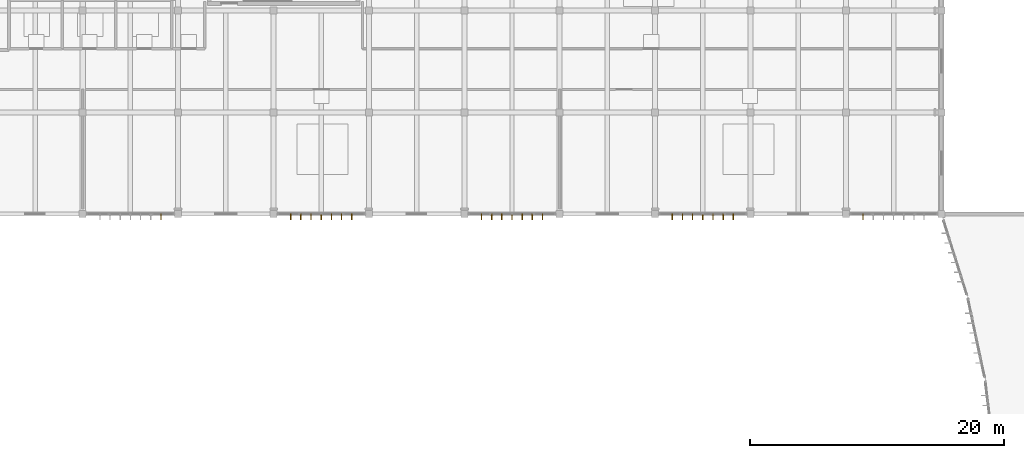
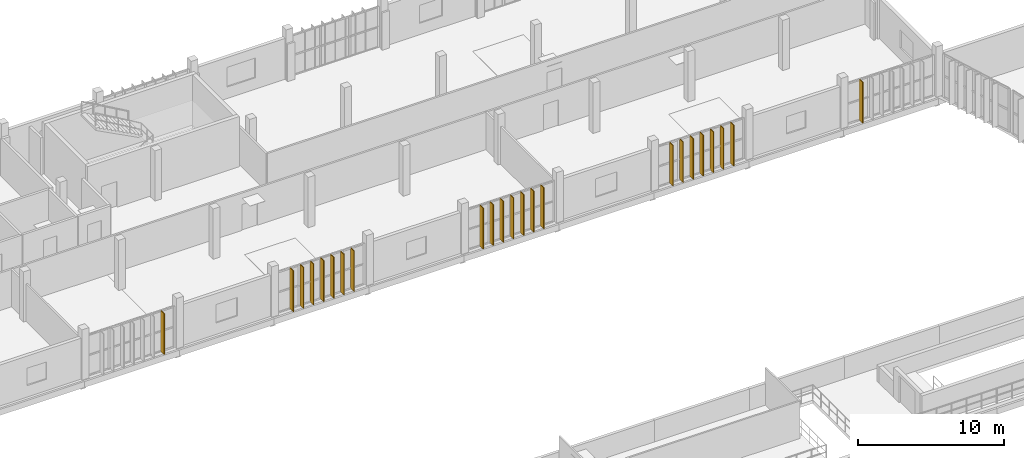
# One storey, part 56 of 61: 23 shading devices.
"""IFC4 building model written with IfcOpenShell, lengths in metres."""

from ifc_helpers import new_model, si_unit, direction, frame, origin, origin_2d, place, context, subcontext, project, spatial, rectangle, extrude, material, material_profile, profile_set, type_object, element, save


model = new_model("IFC4")

# Units and contexts
model_context = context("Model", 3, precision=1e-05, world=origin(), true_north=direction((0.0, 1.0)))
body_context = subcontext(model_context, "Body", "Model", "MODEL_VIEW")
ifc_project = project(units=[si_unit("LENGTHUNIT", "METRE"), si_unit("AREAUNIT", "SQUARE_METRE"), si_unit("VOLUMEUNIT", "CUBIC_METRE"), si_unit("PLANEANGLEUNIT", "RADIAN"), si_unit("MASSUNIT", "GRAM", prefix="KILO")], contexts=[model_context])

# Site, building, storey
site_placement = place(None, origin())
site = spatial("IfcSite", under=ifc_project, at=site_placement, CompositionType="ELEMENT")
building_placement = place(site_placement, origin())
building = spatial("IfcBuilding", under=site, at=building_placement, Name="Vourika Railside Aquatics Centre", CompositionType="ELEMENT")
storey_placement = place(building_placement, frame((0.0, 0.0, 9.300048828125)))
storey = spatial("IfcBuildingStorey", under=building, at=storey_placement, Name="L02", CompositionType="ELEMENT", Elevation=9.300048828125)

# Shading devices
ifc_material = material(Name="Bronze-anodized extruded aluminium", Category="aluminium")
ifc_material_profile = material_profile(ifc_material, rectangle(XDim=0.06005859375, YDim=0.47998046875, at=origin_2d()), Name="ALU-FIN 60x480")
ifc_profile_set = profile_set([ifc_material_profile], Name="Bronze-anodized extruded aluminium")
shading_device_type = type_object("IfcShadingDeviceType", Name="SHD-FIN-F48A", PredefinedType="USERDEFINED", material=ifc_profile_set)
for number, where, z_axis, x_axis, name in (
    (1, (72.14990234375, 91.784912109375, 0.0), (0.0, 0.0, 1.0), (-1.0, 0.0, 0.0), "Vertical Solar Fin VSF-0942"),
    (2, (82.35009765625, 91.784912109375, 0.0), (0.0, 0.0, 1.0), (-1.0, 0.0, 0.0), "Vertical Solar Fin VSF-0943"),
    (3, (83.14990234375, 91.784912109375, 0.0), (0.0, 0.0, 1.0), (-1.0, 0.0, 0.0), "Vertical Solar Fin VSF-0944"),
    (4, (83.949951171875, 91.784912109375, 0.0), (0.0, 0.0, 1.0), (-1.0, 0.0, 0.0), "Vertical Solar Fin VSF-0945"),
    (5, (84.75, 91.784912109375, 0.0), (0.0, 0.0, 1.0), (-1.0, 0.0, 0.0), "Vertical Solar Fin VSF-0946"),
    (6, (85.550048828125, 91.784912109375, 0.0), (0.0, 0.0, 1.0), (-1.0, 0.0, 0.0), "Vertical Solar Fin VSF-0947"),
    (7, (86.35009765625, 91.784912109375, 0.0), (0.0, 0.0, 1.0), (-1.0, 0.0, 0.0), "Vertical Solar Fin VSF-0948"),
    (8, (87.14990234375, 91.784912109375, 0.0), (0.0, 0.0, 1.0), (-1.0, 0.0, 0.0), "Vertical Solar Fin VSF-0949"),
):
    element("IfcShadingDevice", number, at=place(storey_placement, frame(where, z_axis=z_axis, x_axis=x_axis)), inside=storey, type_object=shading_device_type, Name=name, ObjectType="FIN", PredefinedType="USERDEFINED", context=body_context, shape_type="SweptSolid", body=[
        extrude(rectangle(XDim=0.06005859375, YDim=0.47998046875, at=origin_2d()), origin(), (0.0, 0.0, 1.0), 3.419921875),
    ])
for number, where, z_axis, x_axis, name in (
    (9, (97.35009765625, 91.784912109375, 0.0), (0.0, 0.0, 1.0), (-1.0, 0.0, 0.0), "Vertical Solar Fin VSF-0950"),
    (10, (98.14990234375, 91.784912109375, 0.0), (0.0, 0.0, 1.0), (-1.0, 0.0, 0.0), "Vertical Solar Fin VSF-0951"),
    (11, (98.949951171875, 91.784912109375, 0.0), (0.0, 0.0, 1.0), (-1.0, 0.0, 0.0), "Vertical Solar Fin VSF-0952"),
    (12, (99.75, 91.784912109375, 0.0), (0.0, 0.0, 1.0), (-1.0, 0.0, 0.0), "Vertical Solar Fin VSF-0953"),
    (13, (100.550048828125, 91.784912109375, 0.0), (0.0, 0.0, 1.0), (-1.0, 0.0, 0.0), "Vertical Solar Fin VSF-0954"),
    (14, (101.35009765625, 91.784912109375, 0.0), (0.0, 0.0, 1.0), (-1.0, 0.0, 0.0), "Vertical Solar Fin VSF-0955"),
    (15, (102.14990234375, 91.784912109375, 0.0), (0.0, 0.0, 1.0), (-1.0, 0.0, 0.0), "Vertical Solar Fin VSF-0956"),
    (16, (112.35009765625, 91.784912109375, 0.0), (0.0, 0.0, 1.0), (-1.0, 0.0, 0.0), "Vertical Solar Fin VSF-0957"),
    (17, (113.14990234375, 91.784912109375, 0.0), (0.0, 0.0, 1.0), (-1.0, 0.0, 0.0), "Vertical Solar Fin VSF-0958"),
    (18, (113.949951171875, 91.784912109375, 0.0), (0.0, 0.0, 1.0), (-1.0, 0.0, 0.0), "Vertical Solar Fin VSF-0959"),
    (19, (114.75, 91.784912109375, 0.0), (0.0, 0.0, 1.0), (-1.0, 0.0, 0.0), "Vertical Solar Fin VSF-0960"),
    (20, (115.550048828125, 91.784912109375, 0.0), (0.0, 0.0, 1.0), (-1.0, 0.0, 0.0), "Vertical Solar Fin VSF-0961"),
    (21, (116.35009765625, 91.784912109375, 0.0), (0.0, 0.0, 1.0), (-1.0, 0.0, 0.0), "Vertical Solar Fin VSF-0962"),
    (22, (117.14990234375, 91.784912109375, 0.0), (0.0, 0.0, 1.0), (-1.0, 0.0, 0.0), "Vertical Solar Fin VSF-0963"),
    (23, (127.35009765625, 91.784912109375, 0.0), (0.0, 0.0, 1.0), (-1.0, 0.0, 0.0), "Vertical Solar Fin VSF-0964"),
):
    element("IfcShadingDevice", number, at=place(storey_placement, frame(where, z_axis=z_axis, x_axis=x_axis)), inside=storey, type_object=shading_device_type, Name=name, ObjectType="FIN", PredefinedType="USERDEFINED", context=body_context, shape_type="SweptSolid", body=[
        extrude(rectangle(XDim=0.06005859375, YDim=0.47998046875, at=origin_2d()), origin(), (0.0, 0.0, 1.0), 3.409912109375),
    ])

save(model, "model.ifc")
